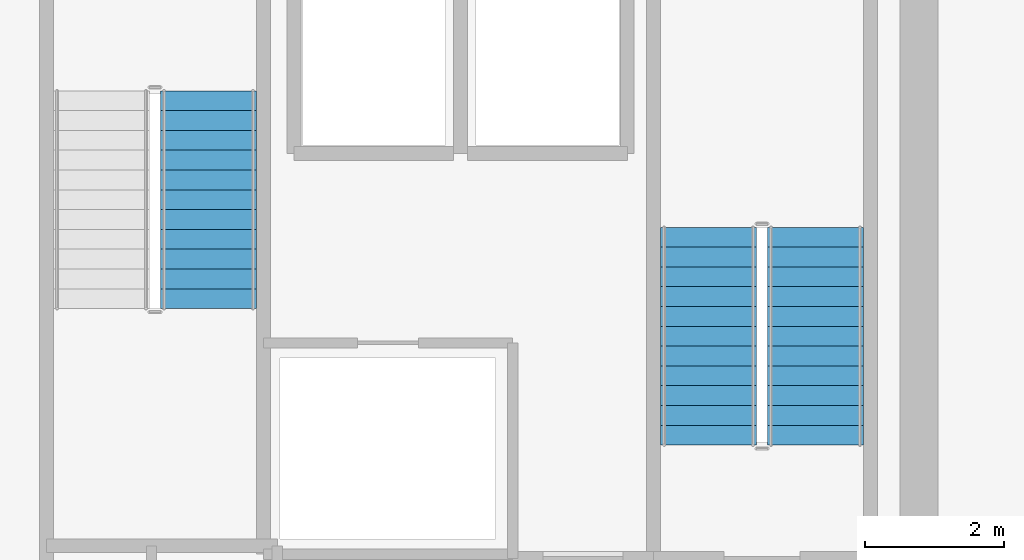
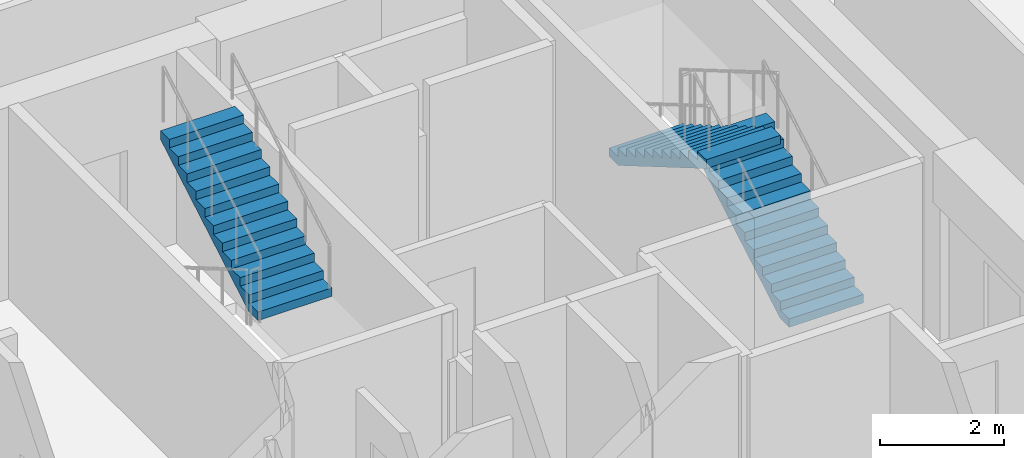
# One storey, part 15 of 20: 3 stair flights, 2 elements without a shape of their own.
"""IFC4 building model written with IfcOpenShell, lengths in metres."""

import ifcopenshell
import ifcopenshell.guid

model = None  # the IFC model being written
_history = None  # IfcOwnerHistory: only IFC2X3 demands one
_inside = {}  # id of a spatial element -> (the spatial element, [elements in it])
_under = {}  # id of a project, library or spatial element -> (it, [spatial elements below it])
_declared = {}  # id of a project -> (the project, [libraries it declares])
_typed = {}  # id of a type object -> (the type object, [elements of that type])
_made_of = {}  # id of a material, layer set ... -> (it, [elements and type objects made of it])


def new_model(schema):
    """Start an empty IFC model of exactly this schema.

    Asked for "IFC4X3", IfcOpenShell would pick the latest addendum, in which some entities
    have other attributes; the version numbers below select the first issue.
    IFC2X3 requires an IfcOwnerHistory on every rooted entity: one is made here for all.
    """
    global model, _history
    if schema == "IFC4X3":
        model = ifcopenshell.file(schema_version=(4, 3, 0, 0))
    else:
        model = ifcopenshell.file(schema=schema)
    _inside.clear()
    _under.clear()
    _declared.clear()
    _typed.clear()
    _made_of.clear()
    _history = None
    if model.schema == "IFC2X3":
        org = make("IfcOrganization", Name="unknown")
        user = make(
            "IfcPersonAndOrganization",
            ThePerson=make("IfcPerson", FamilyName="unknown"),
            TheOrganization=org,
        )
        app = make(
            "IfcApplication",
            ApplicationDeveloper=org,
            Version="unknown",
            ApplicationFullName="unknown",
            ApplicationIdentifier="unknown",
        )
        _history = make(
            "IfcOwnerHistory",
            OwningUser=user,
            OwningApplication=app,
            ChangeAction="ADDED",
            CreationDate=0,
        )
    return model


def make(cls, **values):
    """One entity of the class cls with the attributes given. An attribute that is None is left unset."""
    return model.create_entity(
        cls, **{name: value for name, value in values.items() if value is not None}
    )


def rooted(cls, **values):
    """An entity with a GlobalId (a new one), such as an element, a storey or a relation."""
    return make(cls, GlobalId=ifcopenshell.guid.new(), OwnerHistory=_history, **values)


def si_unit(unit_type, name, prefix=None):
    """IfcSIUnit, for example si_unit("LENGTHUNIT", "METRE", prefix="MILLI")."""
    return make("IfcSIUnit", UnitType=unit_type, Prefix=prefix, Name=name)


def assignment(units):
    """IfcUnitAssignment: the units of a project."""
    return None if units is None else make("IfcUnitAssignment", Units=units)


def point(xyz):
    """IfcCartesianPoint."""
    return None if xyz is None else make("IfcCartesianPoint", Coordinates=xyz)


def direction(xyz):
    """IfcDirection."""
    return None if xyz is None else make("IfcDirection", DirectionRatios=xyz)


def frame(location, z_axis=None, x_axis=None):
    """IfcAxis2Placement3D, a coordinate frame: its origin and axes. An axis left out is left unset."""
    return make(
        "IfcAxis2Placement3D",
        Location=point(location),
        Axis=direction(z_axis),
        RefDirection=direction(x_axis),
    )


def origin():
    """The frame at (0, 0, 0) with its axes left unset."""
    return frame((0.0, 0.0, 0.0))


def place(relative_to, where):
    """IfcLocalPlacement: puts the frame where relative to a parent placement (None: the world)."""
    return make(
        "IfcLocalPlacement", PlacementRelTo=relative_to, RelativePlacement=where
    )


def context(
    kind, dimensions, precision=None, world=None, true_north=None, identifier=None
):
    """IfcGeometricRepresentationContext, for example the 3D "Model" context."""
    return make(
        "IfcGeometricRepresentationContext",
        ContextIdentifier=identifier,
        ContextType=kind,
        CoordinateSpaceDimension=dimensions,
        Precision=precision,
        WorldCoordinateSystem=world,
        TrueNorth=true_north,
    )


def subcontext(parent, identifier, kind, view, scale=None):
    """IfcGeometricRepresentationSubContext, for example "Body" below "Model"."""
    return make(
        "IfcGeometricRepresentationSubContext",
        ContextIdentifier=identifier,
        ContextType=kind,
        ParentContext=parent,
        TargetScale=scale,
        TargetView=view,
    )


def project(units=None, contexts=None):
    """IfcProject with its units and contexts."""
    return rooted(
        "IfcProject",
        Name="project",
        RepresentationContexts=contexts,
        UnitsInContext=assignment(units),
    )


def spatial(cls, under=None, at=None, **own):
    """A site, building, storey or space (cls), placed at a placement, below another one or the project."""
    s = rooted(cls, ObjectPlacement=at, **own)
    if under is not None:
        _under.setdefault(under.id(), (under, []))[1].append(s)
    return s


def polyline(points):
    """IfcPolyline through the points."""
    return make("IfcPolyline", Points=[point(p) for p in points])


def outline(outer, holes=None, kind="AREA"):
    """IfcArbitraryClosedProfileDef: a profile drawn as a closed curve; with holes, ...WithVoids."""
    if holes is None:
        return make("IfcArbitraryClosedProfileDef", ProfileType=kind, OuterCurve=outer)
    return make(
        "IfcArbitraryProfileDefWithVoids",
        ProfileType=kind,
        OuterCurve=outer,
        InnerCurves=holes,
    )


def extrude(swept, where, along, depth):
    """IfcExtrudedAreaSolid: the profile swept, set in the frame where, extruded along a direction by depth."""
    return make(
        "IfcExtrudedAreaSolid",
        SweptArea=swept,
        Position=where,
        ExtrudedDirection=direction(along),
        Depth=depth,
    )


def shape(context_of_items, identifier, shape_type, items):
    """IfcShapeRepresentation: the items that make up one representation, for example the "Body"."""
    return make(
        "IfcShapeRepresentation",
        ContextOfItems=context_of_items,
        RepresentationIdentifier=identifier,
        RepresentationType=shape_type,
        Items=items,
    )


def material(Name=None, Category=None):
    """IfcMaterial."""
    return make("IfcMaterial", Name=Name, Category=Category)


def made_of(thing, what):
    """Note that an element or type object is made of a material, layer set ...; save() writes the relation."""
    if what is not None:
        _made_of.setdefault(what.id(), (what, []))[1].append(thing)
    return thing


def type_object(cls, material=None, **own):
    """A type object (cls), such as IfcWallType, which elements share."""
    return made_of(rooted(cls, **own), material)


def element(
    cls,
    number,
    at=None,
    inside=None,
    cuts=None,
    type_object=None,
    material=None,
    context=None,
    identifier="Body",
    shape_type=None,
    held_by="IfcProductDefinitionShape",
    body=None,
    shapes=None,
    **own,
):
    """One element of the class cls, such as IfcWall. Its Tag is "e" and its number.

    at: its placement. inside: the storey or other place that contains it. cuts: it is an
    opening in that element (IfcRelVoidsElement). A single representation is given by context,
    identifier, shape_type and body (its items); several are given by shapes. held_by: the class
    of the entity that holds the representations. save() writes the other relations.
    """
    e = rooted(cls, Tag="e%d" % number, ObjectPlacement=at, **own)
    if body is not None:
        shapes = [shape(context, identifier, shape_type, body)]
    if shapes is not None:
        e.Representation = make(held_by, Representations=shapes)
    if inside is not None:
        _inside.setdefault(inside.id(), (inside, []))[1].append(e)
    if cuts is not None:
        rooted(
            "IfcRelVoidsElement", RelatingBuildingElement=cuts, RelatedOpeningElement=e
        )
    if type_object is not None:
        _typed.setdefault(type_object.id(), (type_object, []))[1].append(e)
    return made_of(e, material)


def aggregate(whole, parts):
    """IfcRelAggregates: a whole, such as a stair, and the parts it consists of."""
    return rooted("IfcRelAggregates", RelatingObject=whole, RelatedObjects=parts)


def save(model, path):
    """Write the relations noted so far, then the file.

    IfcRelAggregates (storeys below a building ...), IfcRelContainedInSpatialStructure (elements
    in a storey), IfcRelDefinesByType, IfcRelAssociatesMaterial and IfcRelDeclares: one each for
    every whole, place, type object, material and project.
    """
    for whole, parts in _under.values():
        aggregate(whole, parts)
    for where, things in _inside.values():
        rooted(
            "IfcRelContainedInSpatialStructure",
            RelatedElements=things,
            RelatingStructure=where,
        )
    for kind, things in _typed.values():
        rooted("IfcRelDefinesByType", RelatedObjects=things, RelatingType=kind)
    for what, things in _made_of.values():
        rooted("IfcRelAssociatesMaterial", RelatedObjects=things, RelatingMaterial=what)
    for by, libraries in _declared.values():
        rooted("IfcRelDeclares", RelatingContext=by, RelatedDefinitions=libraries)
    model.write(path)


model = new_model("IFC4")

# Units and contexts
model_context = context("Model", 3, precision=1e-05, world=origin(), true_north=direction((0.0, 1.0)))
body_context = subcontext(model_context, "Body", "Model", "MODEL_VIEW")
ifc_project = project(units=[si_unit("LENGTHUNIT", "METRE"), si_unit("AREAUNIT", "SQUARE_METRE"), si_unit("VOLUMEUNIT", "CUBIC_METRE"), si_unit("PLANEANGLEUNIT", "RADIAN"), si_unit("MASSUNIT", "GRAM", prefix="KILO")], contexts=[model_context])

# Site, building, storey
site_placement = place(None, origin())
site = spatial("IfcSite", under=ifc_project, at=site_placement, CompositionType="ELEMENT")
building_placement = place(site_placement, origin())
building = spatial("IfcBuilding", under=site, at=building_placement, Name="Kovane Verandah Tower", CompositionType="ELEMENT")
storey_placement = place(building_placement, frame((0.0, 0.0, 128.39990234375)))
storey = spatial("IfcBuildingStorey", under=building, at=storey_placement, Name="L29", CompositionType="ELEMENT", Elevation=128.39990234375)

# Stair, stair flights
ifc_material = material(Name="Concrete C45/55", Category="concrete")
stair_type = type_object("IfcStairType", Name="ST-CORE-1380", PredefinedType="HALF_TURN_STAIR", material=ifc_material)
stair_1_placement = place(storey_placement, origin())
stair_1 = element("IfcStair", 1, at=stair_1_placement, inside=storey, type_object=stair_type, Name="L29 Exit Stair ST-02", PredefinedType="HALF_TURN_STAIR")
stair_flight_type = type_object("IfcStairFlightType", Name="STF-CORE-1380", PredefinedType="STRAIGHT", material=ifc_material)
stair_flight_1_placement = place(storey_placement, frame((49.510009765625, 29.25, 0.0), z_axis=(0.0, 0.0, 1.0), x_axis=(0.0, 1.0, 0.0)))
stair_flight_1 = element("IfcStairFlight", 2, at=stair_flight_1_placement, type_object=stair_flight_type, Name="ST-02 flight 1", NumberOfRisers=12, NumberOfTreads=11, PredefinedType="STRAIGHT", RiserHeight=0.166666667, TreadLength=0.285, context=body_context, shape_type="SweptSolid", body=[
    extrude(outline(polyline([(0.0, 0.0), (0.0, 0.166748046875), (0.284912109375, 0.166748046875), (0.284912109375, 0.333251953125), (0.570068359375, 0.333251953125), (0.570068359375, 0.5), (0.85498046875, 0.5), (0.85498046875, 0.666748046875), (1.139892578125, 0.666748046875), (1.139892578125, 0.833251953125), (1.425048828125, 0.833251953125), (1.425048828125, 1.0), (1.7099609375, 1.0), (1.7099609375, 1.166748046875), (1.9951171875, 1.166748046875), (1.9951171875, 1.333251953125), (2.280029296875, 1.333251953125), (2.280029296875, 1.5), (2.56494140625, 1.5), (2.56494140625, 1.666748046875), (2.85009765625, 1.666748046875), (2.85009765625, 1.833251953125), (3.135009765625, 1.833251953125), (3.135009765625, 2.0), (3.135009765625, 1.65966796875), (0.296875, 0.0), (0.0, 0.0)])), frame((0.0, 0.68994140625, 0.0), z_axis=(0.0, -1.0, 0.0), x_axis=(1.0, 0.0, 0.0)), (0.0, 0.0, 1.0), 1.3798828125),
])
stair_flight_2_placement = place(storey_placement, frame((47.969970703125, 32.385009765625, 2.0), z_axis=(0.0, 0.0, 1.0), x_axis=(0.0, -1.0, 0.0)))
stair_flight_2 = element("IfcStairFlight", 3, at=stair_flight_2_placement, type_object=stair_flight_type, Name="ST-02 flight 2", NumberOfRisers=12, NumberOfTreads=11, PredefinedType="STRAIGHT", RiserHeight=0.166666667, TreadLength=0.285, context=body_context, shape_type="SweptSolid", body=[
    extrude(outline(polyline([(0.0, 0.0), (0.0, 0.166748046875), (0.284912109375, 0.166748046875), (0.284912109375, 0.333251953125), (0.570068359375, 0.333251953125), (0.570068359375, 0.5), (0.85498046875, 0.5), (0.85498046875, 0.666748046875), (1.139892578125, 0.666748046875), (1.139892578125, 0.833251953125), (1.425048828125, 0.833251953125), (1.425048828125, 1.0), (1.7099609375, 1.0), (1.7099609375, 1.166748046875), (1.9951171875, 1.166748046875), (1.9951171875, 1.333251953125), (2.280029296875, 1.333251953125), (2.280029296875, 1.5), (2.56494140625, 1.5), (2.56494140625, 1.666748046875), (2.85009765625, 1.666748046875), (2.85009765625, 1.833251953125), (3.135009765625, 1.833251953125), (3.135009765625, 2.0), (3.135009765625, 1.65966796875), (0.296875, 0.0), (0.0, 0.0)])), frame((0.0, 0.68994140625, 0.0), z_axis=(0.0, -1.0, 0.0), x_axis=(1.0, 0.0, 0.0)), (0.0, 0.0, 1.0), 1.3798828125),
])
aggregate(stair_1, [stair_flight_1, stair_flight_2])

# Stair, stair flight
stair_2_placement = place(storey_placement, origin())
stair_2 = element("IfcStair", 4, at=stair_2_placement, inside=storey, type_object=stair_type, Name="L29 Exit Stair ST-03", PredefinedType="HALF_TURN_STAIR")
stair_flight_3_placement = place(storey_placement, frame((40.77001953125, 31.215087890625, 2.0), z_axis=(0.0, 0.0, 1.0), x_axis=(0.0, 1.0, 0.0)))
stair_flight_3 = element("IfcStairFlight", 5, at=stair_flight_3_placement, type_object=stair_flight_type, Name="ST-03 flight 2", NumberOfRisers=12, NumberOfTreads=11, PredefinedType="STRAIGHT", RiserHeight=0.166666667, TreadLength=0.285, context=body_context, shape_type="SweptSolid", body=[
    extrude(outline(polyline([(0.0, 0.0), (0.0, 0.166748046875), (0.284912109375, 0.166748046875), (0.284912109375, 0.333251953125), (0.570068359375, 0.333251953125), (0.570068359375, 0.5), (0.85498046875, 0.5), (0.85498046875, 0.666748046875), (1.139892578125, 0.666748046875), (1.139892578125, 0.833251953125), (1.425048828125, 0.833251953125), (1.425048828125, 1.0), (1.7099609375, 1.0), (1.7099609375, 1.166748046875), (1.9951171875, 1.166748046875), (1.9951171875, 1.333251953125), (2.280029296875, 1.333251953125), (2.280029296875, 1.5), (2.56494140625, 1.5), (2.56494140625, 1.666748046875), (2.85009765625, 1.666748046875), (2.85009765625, 1.833251953125), (3.135009765625, 1.833251953125), (3.135009765625, 2.0), (3.135009765625, 1.65966796875), (0.296875, 0.0), (0.0, 0.0)])), frame((0.0, 0.68994140625, 0.0), z_axis=(0.0, -1.0, 0.0), x_axis=(1.0, 0.0, 0.0)), (0.0, 0.0, 1.0), 1.3798828125),
])
aggregate(stair_2, [stair_flight_3])

save(model, "model.ifc")
